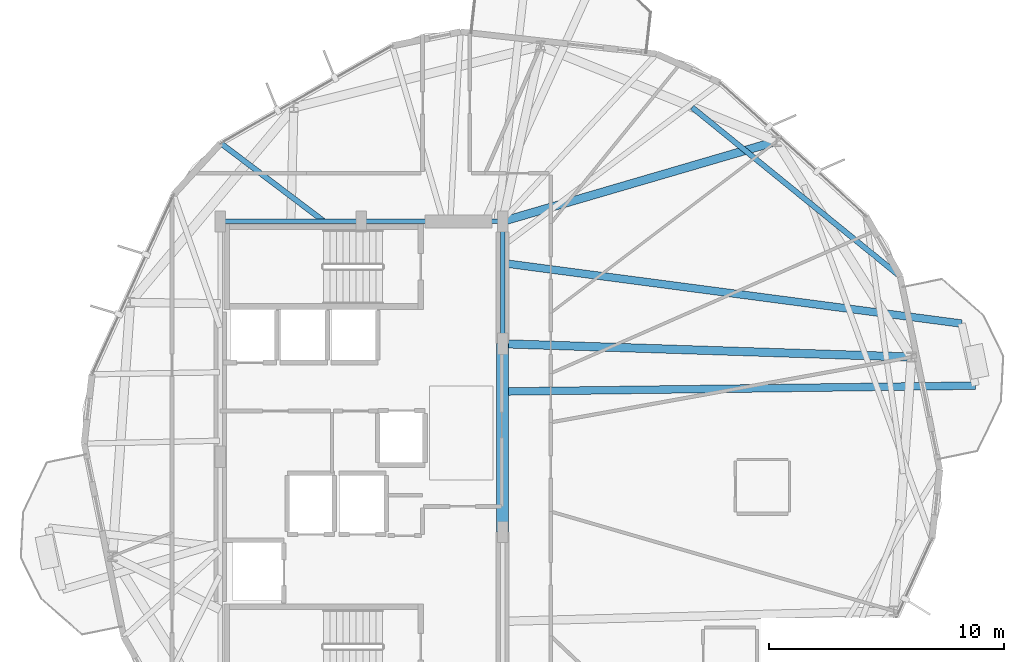
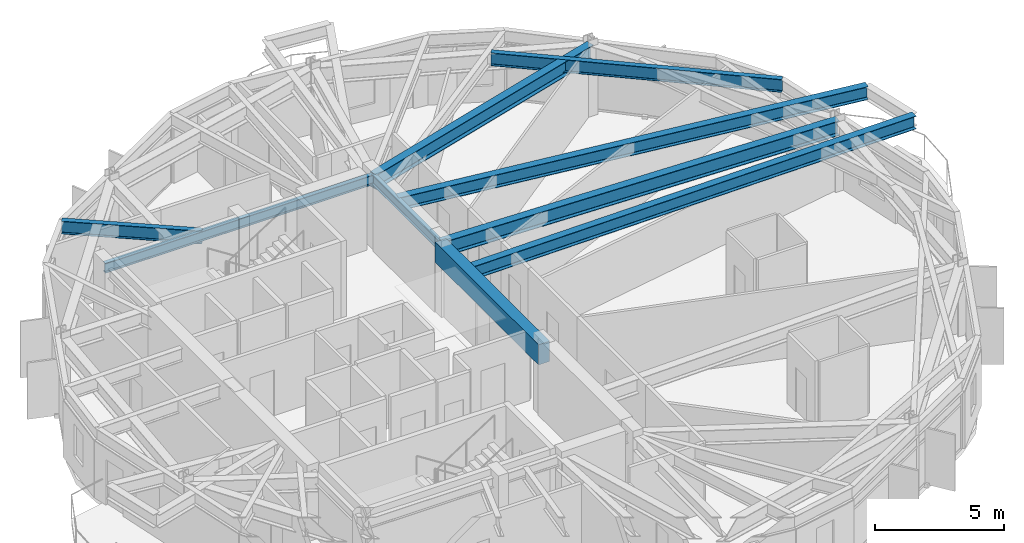
# One storey, part 8 of 22: 10 beams.
"""IFC4 building model written with IfcOpenShell, lengths in metres."""

from ifc_helpers import new_model, si_unit, direction, frame, origin, origin_2d, place, context, subcontext, project, spatial, rectangle, i_section, extrude, material, material_profile, profile_set, type_object, element, save


model = new_model("IFC4")

# Units and contexts
model_context = context("Model", 3, precision=1e-05, world=origin(), true_north=direction((0.0, 1.0)))
body_context = subcontext(model_context, "Body", "Model", "MODEL_VIEW")
ifc_project = project(units=[si_unit("LENGTHUNIT", "METRE"), si_unit("AREAUNIT", "SQUARE_METRE"), si_unit("VOLUMEUNIT", "CUBIC_METRE"), si_unit("PLANEANGLEUNIT", "RADIAN"), si_unit("MASSUNIT", "GRAM", prefix="KILO")], contexts=[model_context])

# Site, building, storey
site_placement = place(None, origin())
site = spatial("IfcSite", under=ifc_project, at=site_placement, CompositionType="ELEMENT")
building_placement = place(site_placement, origin())
building = spatial("IfcBuilding", under=site, at=building_placement, Name="Soratama Intermodal Tower", CompositionType="ELEMENT")
storey_placement = place(building_placement, frame((0.0, 0.0, 142.60009765625)))
storey = spatial("IfcBuildingStorey", under=building, at=storey_placement, Name="L34", CompositionType="ELEMENT", Elevation=142.60009765625)

# Beams
ifc_material_1 = material(Name="Structural steel ASTM A992 Grade 50", Category="steel")
ifc_material_profile_1 = material_profile(ifc_material_1, i_section(OverallWidth=0.324951171875, OverallDepth=0.615966796875, WebThickness=0.013916015625, FlangeThickness=0.021484375, FilletRadius=0.013916015625, at=origin_2d()), Name="W24X117")
ifc_profile_set_1 = profile_set([ifc_material_profile_1], Name="Structural steel ASTM A992 Grade 50")
beam_type_1 = type_object("IfcBeamType", Name="BM-CANT-W24X117", PredefinedType="BEAM", material=ifc_profile_set_1)
beam_1_placement = place(storey_placement, frame((44.8349609375, 27.77197265625, 2.991943359375), z_axis=(0.999922663584, 0.012436512782, 0.0), x_axis=(-0.012436512782, 0.999922663584, 0.0)))
element("IfcBeam", 1, at=beam_1_placement, inside=storey, type_object=beam_type_1, Name="BM-L34-CANT-1-1", PredefinedType="BEAM", context=body_context, shape_type="SweptSolid", body=[
    extrude(i_section(OverallWidth=0.324951171875, OverallDepth=0.615966796875, WebThickness=0.013916015625, FlangeThickness=0.021484375, FilletRadius=0.013916015625, at=origin_2d()), origin(), (0.0, 0.0, 1.0), 19.866455078125),
])
beam_2_placement = place(storey_placement, frame((44.639892578125, 33.22412109375, 2.991943359375), z_axis=(0.99141311819, -0.130767079501, 0.0), x_axis=(0.130767079501, 0.99141311819, 0.0)))
element("IfcBeam", 2, at=beam_2_placement, inside=storey, type_object=beam_type_1, Name="BM-L34-CANT-1-2", PredefinedType="BEAM", context=body_context, shape_type="SweptSolid", body=[
    extrude(i_section(OverallWidth=0.324951171875, OverallDepth=0.615966796875, WebThickness=0.013916015625, FlangeThickness=0.021484375, FilletRadius=0.013916015625, at=origin_2d()), origin(), (0.0, 0.0, 1.0), 19.638916015625),
])
ifc_material_2 = material(Name="Concrete f'c 56 MPa", Category="concrete")
ifc_material_profile_2 = material_profile(ifc_material_2, rectangle(XDim=0.5, YDim=0.949951171875, at=origin_2d()), Name="RC500X950")
ifc_profile_set_2 = profile_set([ifc_material_profile_2], Name="Concrete f'c 56 MPa")
beam_type_2 = type_object("IfcBeamType", Name="BM-CPL-RC500X950", PredefinedType="BEAM", material=ifc_profile_set_2)
beam_3_placement = place(storey_placement, frame((44.60009765625, 21.800048828125, 2.824951171875), z_axis=(0.0, 1.0, 0.0), x_axis=(-1.0, 0.0, 0.0)))
element("IfcBeam", 3, at=beam_3_placement, inside=storey, type_object=beam_type_2, Name="L34 Core Coupling Beam East", PredefinedType="BEAM", context=body_context, shape_type="SweptSolid", body=[
    extrude(rectangle(XDim=0.5, YDim=0.949951171875, at=origin_2d()), origin(), (0.0, 0.0, 1.0), 8.0),
])
ifc_material_3 = material(Name="Structural steel ASTM A992 Grade 50", Category="steel")
ifc_material_profile_3 = material_profile(ifc_material_3, i_section(OverallWidth=0.19091796875, OverallDepth=0.4599609375, WebThickness=0.010009765625, FlangeThickness=0.01611328125, FilletRadius=0.010986328125, at=origin_2d()), Name="W18X55")
ifc_profile_set_3 = profile_set([ifc_material_profile_3], Name="Structural steel ASTM A992 Grade 50")
beam_type_3 = type_object("IfcBeamType", Name="BM-FLR-W18X55", PredefinedType="BEAM", material=ifc_profile_set_3)
beam_4_placement = place(storey_placement, frame((44.60009765625, 29.800048828125, 3.06982421875), z_axis=(0.0, 1.0, 0.0), x_axis=(-1.0, 0.0, 0.0)))
element("IfcBeam", 4, at=beam_4_placement, inside=storey, type_object=beam_type_3, Name="BM-L34-CRING-05", PredefinedType="BEAM", context=body_context, shape_type="SweptSolid", body=[
    extrude(i_section(OverallWidth=0.19091796875, OverallDepth=0.4599609375, WebThickness=0.010009765625, FlangeThickness=0.01611328125, FilletRadius=0.010986328125, at=origin_2d()), origin(), (0.0, 0.0, 1.0), 5.199951171875),
])
for number, where, z_axis, x_axis, name in (
    (5, (44.60009765625, 35.0, 3.06982421875), (-1.0, 0.0, 0.0), (0.0, -1.0, 0.0), "BM-L34-CRING-06"),
    (6, (38.60009765625, 35.0, 3.06982421875), (-1.0, 0.0, 0.0), (0.0, -1.0, 0.0), "BM-L34-CRING-07"),
):
    element("IfcBeam", number, at=place(storey_placement, frame(where, z_axis=z_axis, x_axis=x_axis)), inside=storey, type_object=beam_type_3, Name=name, PredefinedType="BEAM", context=body_context, shape_type="SweptSolid", body=[
        extrude(i_section(OverallWidth=0.19091796875, OverallDepth=0.4599609375, WebThickness=0.010009765625, FlangeThickness=0.01611328125, FilletRadius=0.010986328125, at=origin_2d()), origin(), (0.0, 0.0, 1.0), 6.0),
    ])
ifc_material_4 = material(Name="Structural steel ASTM A992 Grade 50", Category="steel")
ifc_material_profile_4 = material_profile(ifc_material_4, i_section(OverallWidth=0.35498046875, OverallDepth=0.695068359375, WebThickness=0.015380859375, FlangeThickness=0.02490234375, FilletRadius=0.01611328125, at=origin_2d()), Name="W27X146")
ifc_profile_set_4 = profile_set([ifc_material_profile_4], Name="Structural steel ASTM A992 Grade 50")
beam_type_4 = type_object("IfcBeamType", Name="BM-RING-W27X146", PredefinedType="BEAM", material=ifc_profile_set_4)
beam_5_placement = place(storey_placement, frame((44.60009765625, 29.800048828125, 2.952392578125), z_axis=(0.999469833309, -0.032558444449, 0.0), x_axis=(0.032558444449, 0.999469833309, 0.0)))
element("IfcBeam", 7, at=beam_5_placement, inside=storey, type_object=beam_type_4, Name="BM-L34-RAD-01", PredefinedType="BEAM", context=body_context, shape_type="SweptSolid", body=[
    extrude(i_section(OverallWidth=0.35498046875, OverallDepth=0.695068359375, WebThickness=0.015380859375, FlangeThickness=0.02490234375, FilletRadius=0.01611328125, at=origin_2d()), origin(), (0.0, 0.0, 1.0), 17.38916015625),
])
beam_6_placement = place(storey_placement, frame((44.60009765625, 35.0, 2.952392578125), z_axis=(0.959813691047, 0.280637984738, 0.0), x_axis=(-0.280637984738, 0.959813691047, 0.0)))
element("IfcBeam", 8, at=beam_6_placement, inside=storey, type_object=beam_type_4, Name="BM-L34-RAD-02", PredefinedType="BEAM", context=body_context, shape_type="SweptSolid", body=[
    extrude(i_section(OverallWidth=0.35498046875, OverallDepth=0.695068359375, WebThickness=0.015380859375, FlangeThickness=0.02490234375, FilletRadius=0.01611328125, at=origin_2d()), origin(), (0.0, 0.0, 1.0), 12.13671875),
])
ifc_material_5 = material(Name="Structural steel ASTM A992 Grade 50", Category="steel")
ifc_material_profile_5 = material_profile(ifc_material_5, i_section(OverallWidth=0.22900390625, OverallDepth=0.612060546875, WebThickness=0.011962890625, FlangeThickness=0.01953125, FilletRadius=0.012939453125, at=origin_2d()), Name="W24X84")
ifc_profile_set_5 = profile_set([ifc_material_profile_5], Name="Structural steel ASTM A992 Grade 50")
beam_type_5 = type_object("IfcBeamType", Name="BM-TIE-W24X84", PredefinedType="BEAM", material=ifc_profile_set_5)
beam_7_placement = place(storey_placement, frame((36.98095703125, 35.02392578125, 2.993896484375), z_axis=(-0.797535763904, 0.603271667902, 0.0), x_axis=(-0.603271667902, -0.797535763904, 0.0)))
element("IfcBeam", 9, at=beam_7_placement, inside=storey, type_object=beam_type_5, Name="BM-L34-TIE1-03", PredefinedType="BEAM", context=body_context, shape_type="SweptSolid", body=[
    extrude(i_section(OverallWidth=0.22900390625, OverallDepth=0.612060546875, WebThickness=0.011962890625, FlangeThickness=0.01953125, FilletRadius=0.012939453125, at=origin_2d()), origin(), (0.0, 0.0, 1.0), 5.471923828125),
])
beam_8_placement = place(storey_placement, frame((52.657958984375, 39.843994140625, 2.993896484375), z_axis=(0.776083188881, -0.630630544722, 0.0), x_axis=(0.630630544722, 0.776083188881, 0.0)))
element("IfcBeam", 10, at=beam_8_placement, inside=storey, type_object=beam_type_5, Name="BM-L34-TIE1-10", PredefinedType="BEAM", context=body_context, shape_type="SweptSolid", body=[
    extrude(i_section(OverallWidth=0.22900390625, OverallDepth=0.612060546875, WebThickness=0.011962890625, FlangeThickness=0.01953125, FilletRadius=0.012939453125, at=origin_2d()), origin(), (0.0, 0.0, 1.0), 11.391845703125),
])

save(model, "model.ifc")
